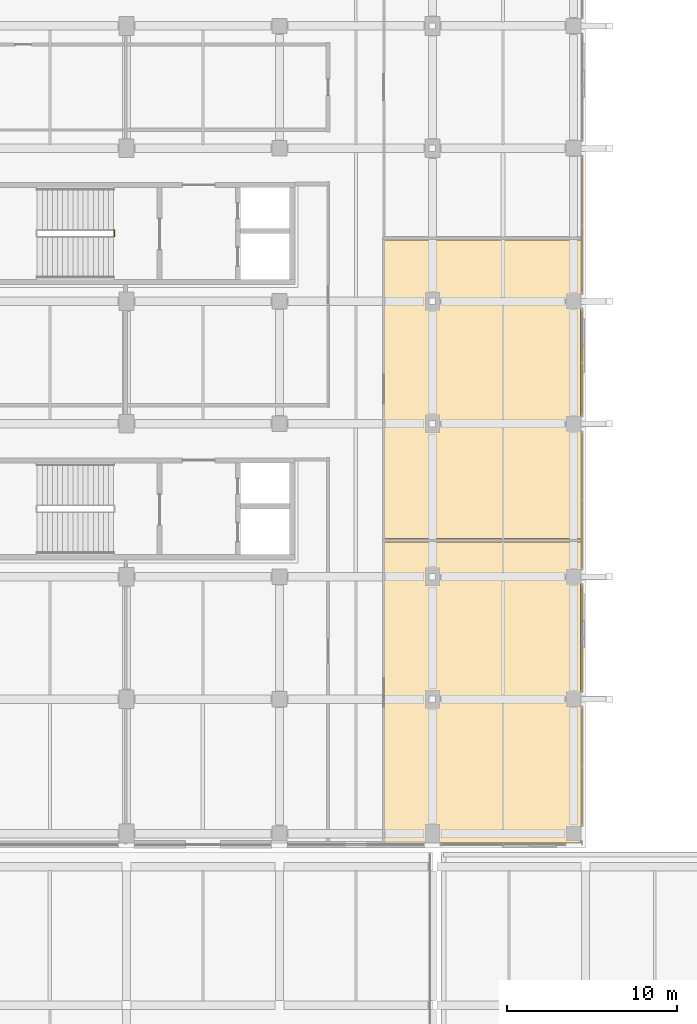
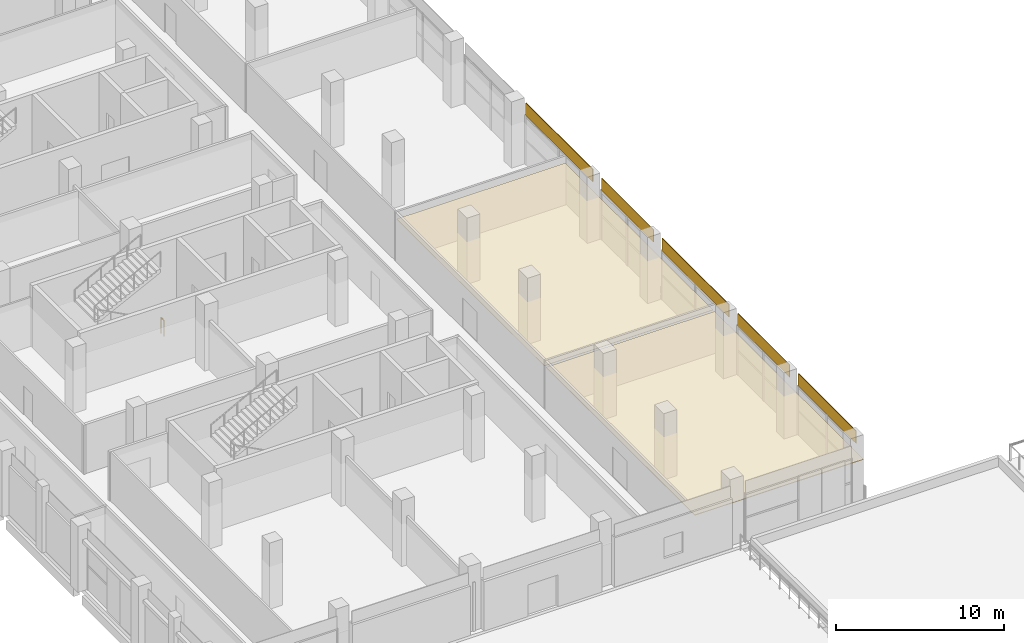
# One storey, part 67 of 82: 7 coverings, 1 railing.
"""IFC4 building model written with IfcOpenShell, lengths in metres."""

from ifc_helpers import new_model, si_unit, direction, frame, origin, origin_2d, place, context, subcontext, project, spatial, polyline, rectangle, circle, outline, extrude, material, layer, layer_set, type_object, element, save


model = new_model("IFC4")

# Units and contexts
model_context = context("Model", 3, precision=1e-05, world=origin(), true_north=direction((0.0, 1.0)))
body_context = subcontext(model_context, "Body", "Model", "MODEL_VIEW")
ifc_project = project(units=[si_unit("LENGTHUNIT", "METRE"), si_unit("AREAUNIT", "SQUARE_METRE"), si_unit("VOLUMEUNIT", "CUBIC_METRE"), si_unit("PLANEANGLEUNIT", "RADIAN"), si_unit("MASSUNIT", "GRAM", prefix="KILO"), si_unit("THERMODYNAMICTEMPERATUREUNIT", "KELVIN"), si_unit("POWERUNIT", "WATT")], contexts=[model_context])

# Site, building, storey
site_placement = place(None, origin())
site = spatial("IfcSite", under=ifc_project, at=site_placement, CompositionType="ELEMENT")
building_placement = place(site_placement, origin())
building = spatial("IfcBuilding", under=site, at=building_placement, Name="Sindhuravela Promenade Stadium", CompositionType="ELEMENT")
storey_placement = place(building_placement, frame((0.0, 0.0, 14.39990234375)))
storey = spatial("IfcBuildingStorey", under=building, at=storey_placement, Name="L03", CompositionType="ELEMENT", Elevation=14.39990234375)

# Coverings
ifc_material_1 = material(Name="Acoustic mineral-fibre ceiling tile", Category="gypsum")
ifc_layer_1 = layer(ifc_material_1, 0.02490234375)
ifc_layer_set_1 = layer_set([ifc_layer_1], Name="Acoustic mineral-fibre ceiling tile")
covering_type_1 = type_object("IfcCoveringType", Name="CV-CEIL-1", PredefinedType="CEILING", material=ifc_layer_set_1)
covering_1_placement = place(storey_placement, frame((0.0, 0.0, 3.050048828125)))
element("IfcCovering", 1, at=covering_1_placement, inside=storey, type_object=covering_type_1, Name="Acoustic ceiling Accessible WC West L03", PredefinedType="CEILING", context=body_context, shape_type="SweptSolid", body=[
    extrude(outline(polyline([(44.699951171875, 54.4619140625), (44.699951171875, 54.4599609375), (44.69970703125, 54.4580078125), (44.69921875, 54.456298828125), (44.698486328125, 54.454345703125), (44.697509765625, 54.45263671875), (44.696533203125, 54.450927734375), (44.695556640625, 54.44921875), (44.694091796875, 54.447998046875), (44.692626953125, 54.446533203125), (44.691162109375, 54.4453125), (44.689453125, 54.4443359375), (44.687744140625, 54.443603515625), (44.685791015625, 54.44287109375), (44.683837890625, 54.4423828125), (44.681884765625, 54.442138671875), (44.679931640625, 54.44189453125), (33.139892578125, 54.44189453125), (33.137939453125, 54.442138671875), (33.135986328125, 54.4423828125), (33.13427734375, 54.44287109375), (33.13232421875, 54.443603515625), (33.130615234375, 54.4443359375), (33.12890625, 54.4453125), (33.127197265625, 54.446533203125), (33.1259765625, 54.447998046875), (33.12451171875, 54.44921875), (33.123291015625, 54.450927734375), (33.122314453125, 54.45263671875), (33.12158203125, 54.454345703125), (33.120849609375, 54.456298828125), (33.120361328125, 54.4580078125), (33.1201171875, 54.4599609375), (33.1201171875, 54.4619140625), (33.1201171875, 71.993896484375), (33.1201171875, 71.99609375), (33.120361328125, 71.997802734375), (33.120849609375, 71.999755859375), (33.12158203125, 72.001708984375), (33.122314453125, 72.00341796875), (33.123291015625, 72.005126953125), (33.12451171875, 72.006591796875), (33.1259765625, 72.008056640625), (33.127197265625, 72.009521484375), (33.12890625, 72.010498046875), (33.130615234375, 72.01171875), (33.13232421875, 72.012451171875), (33.13427734375, 72.01318359375), (33.135986328125, 72.013671875), (33.137939453125, 72.013916015625), (33.139892578125, 72.013916015625), (44.679931640625, 72.013916015625), (44.681884765625, 72.013916015625), (44.683837890625, 72.013671875), (44.685791015625, 72.01318359375), (44.687744140625, 72.012451171875), (44.689453125, 72.01171875), (44.691162109375, 72.010498046875), (44.692626953125, 72.009521484375), (44.694091796875, 72.008056640625), (44.695556640625, 72.006591796875), (44.696533203125, 72.005126953125), (44.697509765625, 72.00341796875), (44.698486328125, 72.001708984375), (44.69921875, 71.999755859375), (44.69970703125, 71.997802734375), (44.699951171875, 71.99609375), (44.699951171875, 71.993896484375), (44.699951171875, 54.4619140625)])), origin(), (0.0, 0.0, 1.0), 0.025146484375),
])
ifc_layer_2 = layer(ifc_material_1, 0.044921875)
ifc_layer_set_2 = layer_set([ifc_layer_2], Name="Acoustic mineral-fibre ceiling tile")
covering_type_2 = type_object("IfcCoveringType", Name="CV-CEIL-2", PredefinedType="CEILING", material=ifc_layer_set_2)
covering_2_placement = place(storey_placement, frame((0.0, 0.0, 3.050048828125)))
element("IfcCovering", 2, at=covering_2_placement, inside=storey, type_object=covering_type_2, Name="Acoustic ceiling Executive Hospitality Suite W03", PredefinedType="CEILING", context=body_context, shape_type="SweptSolid", body=[
    extrude(outline(polyline([(44.699951171875, 36.570068359375), (44.699951171875, 36.568115234375), (44.69970703125, 36.566162109375), (44.69921875, 36.564208984375), (44.698486328125, 36.562255859375), (44.697509765625, 36.560546875), (44.696533203125, 36.558837890625), (44.695556640625, 36.557373046875), (44.694091796875, 36.555908203125), (44.692626953125, 36.554443359375), (44.691162109375, 36.553466796875), (44.689453125, 36.552490234375), (44.687744140625, 36.551513671875), (44.685791015625, 36.55078125), (44.683837890625, 36.55029296875), (44.681884765625, 36.550048828125), (44.679931640625, 36.550048828125), (33.139892578125, 36.550048828125), (33.137939453125, 36.550048828125), (33.135986328125, 36.55029296875), (33.13427734375, 36.55078125), (33.13232421875, 36.551513671875), (33.130615234375, 36.552490234375), (33.12890625, 36.553466796875), (33.127197265625, 36.554443359375), (33.1259765625, 36.555908203125), (33.12451171875, 36.557373046875), (33.123291015625, 36.558837890625), (33.122314453125, 36.560546875), (33.12158203125, 36.562255859375), (33.120849609375, 36.564208984375), (33.120361328125, 36.566162109375), (33.1201171875, 36.568115234375), (33.1201171875, 36.570068359375), (33.1201171875, 54.221923828125), (33.1201171875, 54.22412109375), (33.120361328125, 54.225830078125), (33.120849609375, 54.227783203125), (33.12158203125, 54.229736328125), (33.122314453125, 54.2314453125), (33.123291015625, 54.233154296875), (33.12451171875, 54.234619140625), (33.1259765625, 54.236083984375), (33.127197265625, 54.237548828125), (33.12890625, 54.238525390625), (33.130615234375, 54.239501953125), (33.13232421875, 54.240478515625), (33.13427734375, 54.2412109375), (33.135986328125, 54.24169921875), (33.137939453125, 54.241943359375), (33.139892578125, 54.241943359375), (44.679931640625, 54.241943359375), (44.681884765625, 54.241943359375), (44.683837890625, 54.24169921875), (44.685791015625, 54.2412109375), (44.687744140625, 54.240478515625), (44.689453125, 54.239501953125), (44.691162109375, 54.238525390625), (44.692626953125, 54.237548828125), (44.694091796875, 54.236083984375), (44.695556640625, 54.234619140625), (44.696533203125, 54.233154296875), (44.697509765625, 54.2314453125), (44.698486328125, 54.229736328125), (44.69921875, 54.227783203125), (44.69970703125, 54.225830078125), (44.699951171875, 54.22412109375), (44.699951171875, 54.221923828125), (44.699951171875, 36.570068359375)])), origin(), (0.0, 0.0, 1.0), 0.045166015625),
])
ifc_material_2 = material(Name="Polychrome trencadis ceramic mosaic", Category="masonry")
ifc_layer_3 = layer(ifc_material_2, 0.034912109375)
ifc_layer_set_3 = layer_set([ifc_layer_3], Name="Polychrome trencadis ceramic mosaic")
covering_type_3 = type_object("IfcCoveringType", Name="CV-TRENC-1", PredefinedType="CLADDING", material=ifc_layer_set_3)
for number, where, z_axis, x_axis, name in (
    (3, (44.820068359375, 64.800048828125, 3.55517578125), (0.0, 0.0, 1.0), (0.0, -1.0, 0.0), "Trencadis ceramic mosaic spandrel frieze WEST L03-92"),
    (4, (44.820068359375, 48.60009765625, 3.55517578125), (0.0, 0.0, 1.0), (0.0, -1.0, 0.0), "Trencadis ceramic mosaic spandrel frieze WEST L03-94"),
):
    element("IfcCovering", number, at=place(storey_placement, frame(where, z_axis=z_axis, x_axis=x_axis)), inside=storey, type_object=covering_type_3, Name=name, PredefinedType="CLADDING", context=body_context, shape_type="SweptSolid", body=[
        extrude(rectangle(XDim=6.169921875, YDim=0.034912109375, at=origin_2d()), origin(), (0.0, 0.0, 1.0), 0.905029296875),
    ])
ifc_layer_4 = layer(ifc_material_2, 0.050048828125)
ifc_layer_set_4 = layer_set([ifc_layer_4], Name="Polychrome trencadis ceramic mosaic")
covering_type_4 = type_object("IfcCoveringType", Name="CV-TRENC-2", PredefinedType="CLADDING", material=ifc_layer_set_4)
for number, where, z_axis, x_axis, name in (
    (5, (44.820068359375, 72.89990234375, 3.55517578125), (0.0, 0.0, 1.0), (0.0, -1.0, 0.0), "Trencadis ceramic mosaic spandrel frieze WEST L03-91"),
    (6, (44.820068359375, 56.699951171875, 3.55517578125), (0.0, 0.0, 1.0), (0.0, -1.0, 0.0), "Trencadis ceramic mosaic spandrel frieze WEST L03-93"),
):
    element("IfcCovering", number, at=place(storey_placement, frame(where, z_axis=z_axis, x_axis=x_axis)), inside=storey, type_object=covering_type_4, Name=name, PredefinedType="CLADDING", context=body_context, shape_type="SweptSolid", body=[
        extrude(rectangle(XDim=7.969970703125, YDim=0.050048828125, at=origin_2d()), origin(), (0.0, 0.0, 1.0), 0.905029296875),
    ])
covering_3_placement = place(storey_placement, frame((44.820068359375, 41.050048828125, 3.55517578125), z_axis=(0.0, 0.0, 1.0), x_axis=(0.0, -1.0, 0.0)))
element("IfcCovering", 7, at=covering_3_placement, inside=storey, type_object=covering_type_4, Name="Trencadis ceramic mosaic spandrel frieze WEST L03-95", PredefinedType="CLADDING", context=body_context, shape_type="SweptSolid", body=[
    extrude(rectangle(XDim=6.8701171875, YDim=0.050048828125, at=origin_2d()), origin(), (0.0, 0.0, 1.0), 0.905029296875),
])

# Railing
ifc_material_3 = material(Name="Architectural wrought steel E350", Category="steel")
railing_type = type_object("IfcRailingType", Name="RL-GRD-1150", PredefinedType="GUARDRAIL", material=ifc_material_3)
railing_placement = place(storey_placement, frame((17.280029296875, 72.2099609375, 0.0)))
element("IfcRailing", 8, at=railing_placement, inside=storey, type_object=railing_type, Name="Stair ST02 landing well slot guard (L03)", PredefinedType="GUARDRAIL", context=body_context, shape_type="SweptSolid", body=[
    extrude(circle(Radius=0.02392578125, at=origin_2d()), frame((0.0, 0.0, 1.1259765625), z_axis=(0.0, 1.0, 0.0), x_axis=(-1.0, 0.0, 0.0)), (0.0, 0.0, 1.0), 0.380126953125),
    extrude(circle(Radius=0.02099609375, at=origin_2d()), origin(), (0.0, 0.0, 1.0), 1.101806640625),
    extrude(circle(Radius=0.02099609375, at=origin_2d()), frame((0.0, 0.380126953125, 0.0)), (0.0, 0.0, 1.0), 1.101806640625),
])

save(model, "model.ifc")
